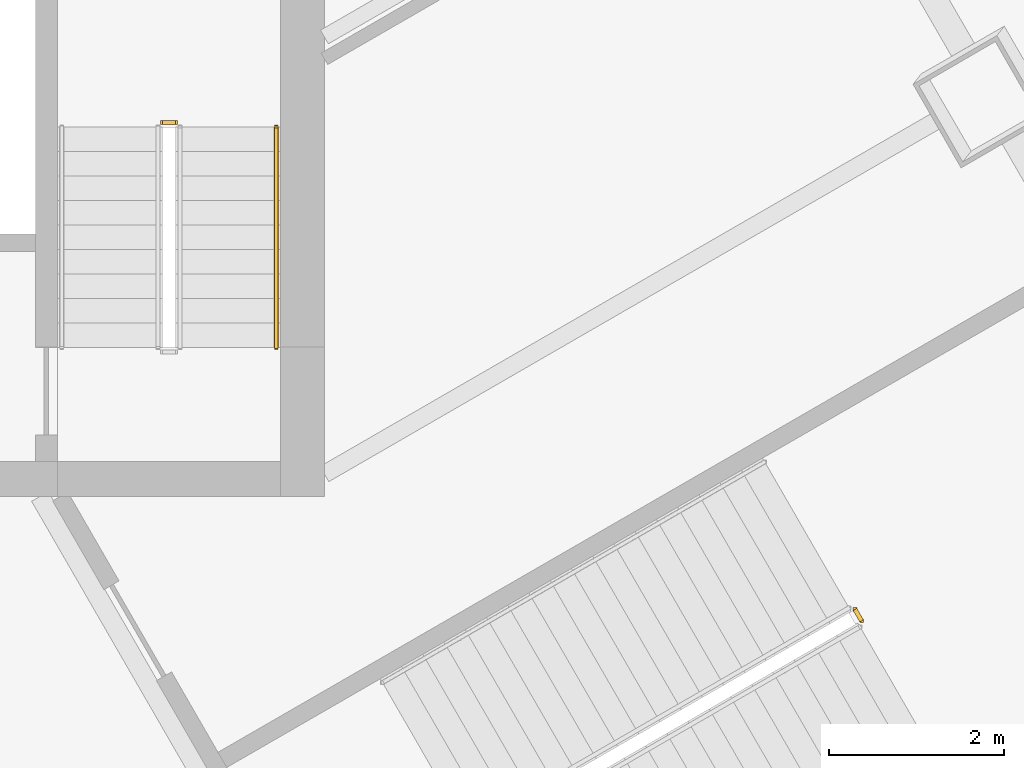
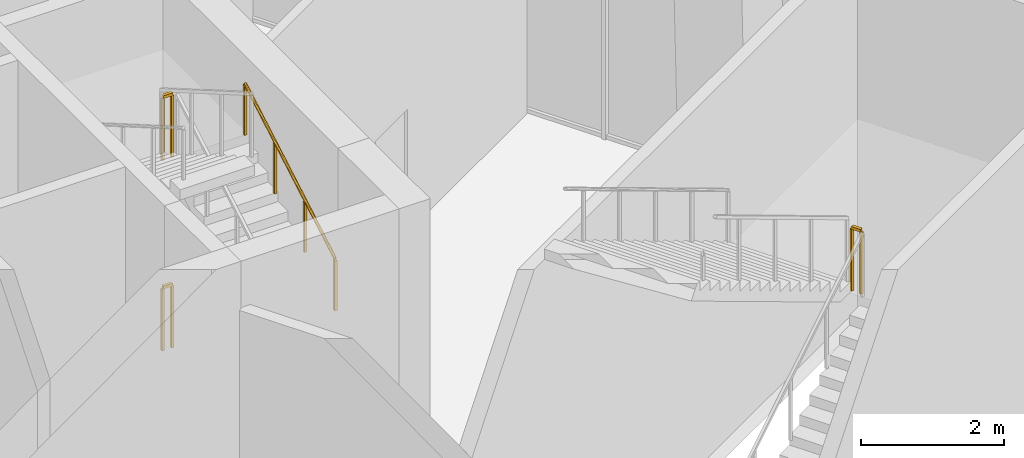
# One storey, part 17 of 17: 4 railings.
"""IFC4 building model written with IfcOpenShell, lengths in metres."""

from ifc_helpers import new_model, si_unit, direction, frame, origin, origin_2d, place, context, subcontext, project, spatial, rectangle, circle, extrude, material, type_object, element, save


model = new_model("IFC4")

# Units and contexts
model_context = context("Model", 3, precision=1e-05, world=origin(), true_north=direction((0.0, 1.0)))
body_context = subcontext(model_context, "Body", "Model", "MODEL_VIEW")
ifc_project = project(units=[si_unit("LENGTHUNIT", "METRE"), si_unit("AREAUNIT", "SQUARE_METRE"), si_unit("VOLUMEUNIT", "CUBIC_METRE"), si_unit("PLANEANGLEUNIT", "RADIAN"), si_unit("MASSUNIT", "GRAM", prefix="KILO")], contexts=[model_context])

# Site, building, storey
site_placement = place(None, origin())
site = spatial("IfcSite", under=ifc_project, at=site_placement, CompositionType="ELEMENT")
building_placement = place(site_placement, origin())
building = spatial("IfcBuilding", under=site, at=building_placement, Name="Apuvela Tower Hotel", CompositionType="ELEMENT")
storey_placement = place(building_placement, frame((0.0, 0.0, 9.0)))
storey = spatial("IfcBuildingStorey", under=building, at=storey_placement, Name="L01", CompositionType="ELEMENT", Elevation=9.0)

# Railings
ifc_material_1 = material(Name="Steel S275 balustrade", Category="steel")
railing_type_1 = type_object("IfcRailingType", Name="COR-GUARD-1100", PredefinedType="GUARDRAIL", material=ifc_material_1)
for number, where, name in (
    (1, (3.800048828125, 17.169921875, 1.625), "L01 ST1 stair guard 2"),
    (2, (3.800048828125, 17.169921875, 4.875), "L01 ST1 stair guard 6"),
):
    element("IfcRailing", number, at=place(storey_placement, frame(where)), inside=storey, type_object=railing_type_1, Name=name, PredefinedType="GUARDRAIL", context=body_context, shape_type="SweptSolid", body=[
        extrude(rectangle(XDim=0.048095703125, YDim=0.048095703125, at=origin_2d()), frame((0.0, 0.0, 1.076171875), z_axis=(-1.0, 0.0, 0.0), x_axis=(0.0, -1.0, 0.0)), (0.0, 0.0, 1.0), 0.150146484375),
        extrude(rectangle(XDim=0.0419921875, YDim=0.0419921875, at=origin_2d()), origin(), (0.0, 0.0, 1.0), 1.052001953125),
        extrude(rectangle(XDim=0.0419921875, YDim=0.0419921875, at=origin_2d()), frame((-0.150146484375, 0.0, 0.0)), (0.0, 0.0, 1.0), 1.052001953125),
    ])
ifc_material_2 = material(Name="Stainless steel 316 handrail", Category="steel")
railing_type_2 = type_object("IfcRailingType", Name="COR-HANDRAIL-900", PredefinedType="HANDRAIL", material=ifc_material_2)
railing_1_placement = place(storey_placement, frame((4.949951171875, 14.60009765625, 3.41259765625)))
element("IfcRailing", 3, at=railing_1_placement, inside=storey, type_object=railing_type_2, Name="L01 ST1 stair handrail 3", PredefinedType="HANDRAIL", context=body_context, shape_type="SweptSolid", body=[
    extrude(circle(Radius=0.02392578125, at=origin_2d()), frame((0.0, 0.0, 0.8759765625), z_axis=(0.0, 0.864913338283, 0.50192122615), x_axis=(-1.0, 0.0, 0.0)), (0.0, 0.0, 1.0), 2.91357421875),
    extrude(rectangle(XDim=0.0419921875, YDim=0.0419921875, at=origin_2d()), origin(), (0.0, 0.0, 1.0), 0.851806640625),
    extrude(rectangle(XDim=0.0419921875, YDim=0.0419921875, at=origin_2d()), frame((0.0, 0.840087890625, 0.487548828125)), (0.0, 0.0, 1.0), 0.851806640625),
    extrude(rectangle(XDim=0.0419921875, YDim=0.0419921875, at=origin_2d()), frame((0.0, 1.679931640625, 0.974853515625)), (0.0, 0.0, 1.0), 0.851806640625),
    extrude(rectangle(XDim=0.0419921875, YDim=0.0419921875, at=origin_2d()), frame((0.0, 2.52001953125, 1.46240234375)), (0.0, 0.0, 1.0), 0.851806640625),
])
ifc_material_3 = material(Name="Steel S355 guard with laminated glass infill", Category="steel")
railing_type_3 = type_object("IfcRailingType", Name="SPC-GUARD-1100", PredefinedType="GUARDRAIL", material=ifc_material_3)
railing_2_placement = place(storey_placement, frame((11.6337890625, 11.479736328125, 3.25)))
element("IfcRailing", 4, at=railing_2_placement, inside=storey, type_object=railing_type_3, Name="L01 PS1 stair guard 2", PredefinedType="GUARDRAIL", context=body_context, shape_type="SweptSolid", body=[
    extrude(rectangle(XDim=0.048095703125, YDim=0.048095703125, at=origin_2d()), frame((0.0, 0.0, 1.076171875), z_axis=(-0.500331725305, 0.865833797362, 0.0), x_axis=(-0.865833797362, -0.500331725305, 0.0)), (0.0, 0.0, 1.0), 0.150390625),
    extrude(rectangle(XDim=0.0419921875, YDim=0.0419921875, at=origin_2d()), origin(), (0.0, 0.0, 1.0), 1.052001953125),
    extrude(rectangle(XDim=0.0419921875, YDim=0.0419921875, at=origin_2d()), frame((-0.0751953125, 0.130126953125, 0.0)), (0.0, 0.0, 1.0), 1.052001953125),
])

save(model, "model.ifc")
